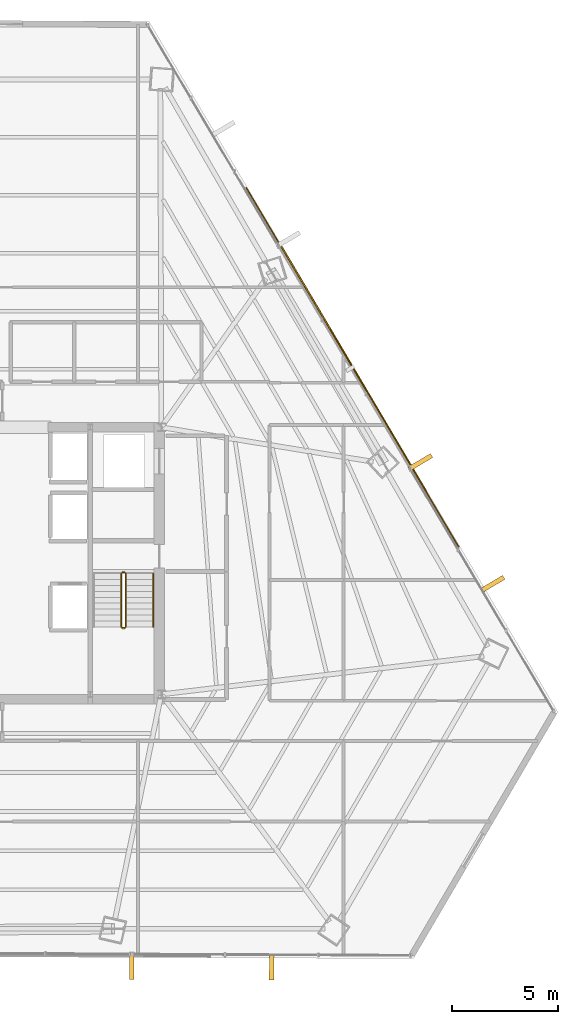
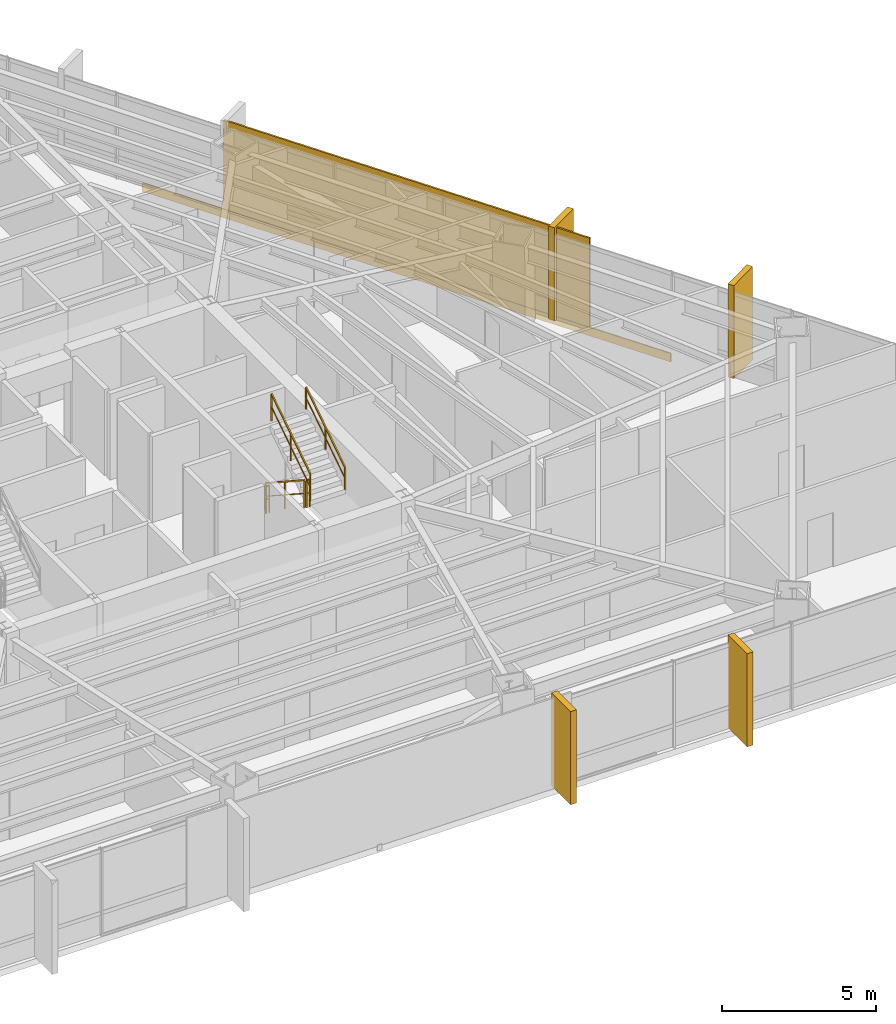
# One storey, part 36 of 37: 5 coverings, 5 railings, 1 shading device.
"""IFC4 building model written with IfcOpenShell, lengths in metres."""

from ifc_helpers import new_model, si_unit, direction, frame, origin, origin_2d, place, context, subcontext, project, spatial, rectangle, extrude, source, transform, mapped, material, layer, layer_set, type_object, type_shapes, element, save


model = new_model("IFC4")

# Units and contexts
model_context = context("Model", 3, precision=1e-05, world=origin(), true_north=direction((0.0, 1.0)))
body_context = subcontext(model_context, "Body", "Model", "MODEL_VIEW")
ifc_project = project(units=[si_unit("LENGTHUNIT", "METRE"), si_unit("AREAUNIT", "SQUARE_METRE"), si_unit("VOLUMEUNIT", "CUBIC_METRE"), si_unit("PLANEANGLEUNIT", "RADIAN"), si_unit("MASSUNIT", "GRAM", prefix="KILO")], contexts=[model_context])

# Site, building, storey
site_placement = place(None, origin())
site = spatial("IfcSite", under=ifc_project, at=site_placement, CompositionType="ELEMENT")
building_placement = place(site_placement, origin())
building = spatial("IfcBuilding", under=site, at=building_placement, Name="Caelisora Broadcast Tower", CompositionType="ELEMENT")
storey_placement = place(building_placement, frame((0.0, 0.0, 101.75)))
storey = spatial("IfcBuildingStorey", under=building, at=storey_placement, Name="L26", CompositionType="ELEMENT", Elevation=101.75)

# Railings
ifc_material_1 = material(Name="Galvanised Steel Safety Guardrail", Category="steel")
ifc_layer_1 = layer(ifc_material_1, 0.048095703125, Name="Galvanised Steel Safety Guardrail")
ifc_layer_set_1 = layer_set([ifc_layer_1], Name="Galvanised Steel Safety Guardrail")
railing_type_1 = type_object("IfcRailingType", Name="GR-1", PredefinedType="GUARDRAIL", material=ifc_layer_set_1)
railing_1_placement = place(storey_placement, frame((43.610107421875, 23.10009765625, 0.1826171875)))
element("IfcRailing", 1, at=railing_1_placement, inside=storey, type_object=railing_type_1, Name="L26 ST-2 stair guard 1", PredefinedType="GUARDRAIL", context=body_context, shape_type="SweptSolid", body=[
    extrude(rectangle(XDim=0.048095703125, YDim=0.048095703125, at=origin_2d()), frame((0.0, 0.0, 1.076171875), z_axis=(0.0, -0.837786554691, 0.545997883492), x_axis=(1.0, 0.0, 0.0)), (0.0, 0.0, 1.0), 3.008056640625),
    extrude(rectangle(XDim=0.03125, YDim=0.03125, at=origin_2d()), frame((0.0, 0.0, 0.550048828125), z_axis=(0.0, -0.837786554691, 0.545997883492), x_axis=(1.0, 0.0, 0.0)), (0.0, 0.0, 1.0), 3.008056640625),
    extrude(rectangle(XDim=0.0419921875, YDim=0.0419921875, at=origin_2d()), origin(), (0.0, 0.0, 1.0), 1.052001953125),
    extrude(rectangle(XDim=0.0419921875, YDim=0.0419921875, at=origin_2d()), frame((0.0, -1.260009765625, 0.8212890625)), (0.0, 0.0, 1.0), 1.052001953125),
    extrude(rectangle(XDim=0.0419921875, YDim=0.0419921875, at=origin_2d()), frame((0.0, -2.52001953125, 1.642333984375)), (0.0, 0.0, 1.0), 1.052001953125),
])
railing_2_placement = place(storey_placement, frame((43.659912109375, 20.530029296875, 1.824951171875)))
element("IfcRailing", 2, at=railing_2_placement, inside=storey, type_object=railing_type_1, Name="L26 ST-2 stair guard 2", PredefinedType="GUARDRAIL", context=body_context, shape_type="SweptSolid", body=[
    extrude(rectangle(XDim=0.048095703125, YDim=0.048095703125, at=origin_2d()), frame((0.0, 0.0, 1.076171875), z_axis=(1.0, 0.0, 0.0), x_axis=(0.0, 1.0, 0.0)), (0.0, 0.0, 1.0), 0.1201171875),
    extrude(rectangle(XDim=0.03125, YDim=0.03125, at=origin_2d()), frame((0.0, 0.0, 0.550048828125), z_axis=(1.0, 0.0, 0.0), x_axis=(0.0, 1.0, 0.0)), (0.0, 0.0, 1.0), 0.1201171875),
    extrude(rectangle(XDim=0.0419921875, YDim=0.0419921875, at=origin_2d()), origin(), (0.0, 0.0, 1.0), 1.052001953125),
    extrude(rectangle(XDim=0.0419921875, YDim=0.0419921875, at=origin_2d()), frame((0.1201171875, 0.0, 0.0)), (0.0, 0.0, 1.0), 1.052001953125),
])
railing_3_placement = place(storey_placement, frame((43.830078125, 20.580078125, 2.007568359375)))
element("IfcRailing", 3, at=railing_3_placement, inside=storey, type_object=railing_type_1, Name="L26 ST-2 stair guard 3", PredefinedType="GUARDRAIL", context=body_context, shape_type="SweptSolid", body=[
    extrude(rectangle(XDim=0.048095703125, YDim=0.048095703125, at=origin_2d()), frame((0.0, 0.0, 1.076171875), z_axis=(0.0, 0.837786554691, 0.545997883492), x_axis=(-1.0, 0.0, 0.0)), (0.0, 0.0, 1.0), 3.008056640625),
    extrude(rectangle(XDim=0.03125, YDim=0.03125, at=origin_2d()), frame((0.0, 0.0, 0.550048828125), z_axis=(0.0, 0.837786554691, 0.545997883492), x_axis=(-1.0, 0.0, 0.0)), (0.0, 0.0, 1.0), 3.008056640625),
    extrude(rectangle(XDim=0.0419921875, YDim=0.0419921875, at=origin_2d()), origin(), (0.0, 0.0, 1.0), 1.052001953125),
    extrude(rectangle(XDim=0.0419921875, YDim=0.0419921875, at=origin_2d()), frame((0.0, 1.260009765625, 0.8212890625)), (0.0, 0.0, 1.0), 1.052001953125),
    extrude(rectangle(XDim=0.0419921875, YDim=0.0419921875, at=origin_2d()), frame((0.0, 2.52001953125, 1.642333984375)), (0.0, 0.0, 1.0), 1.052001953125),
])
railing_4_placement = place(storey_placement, frame((43.659912109375, 23.14990234375, 0.0)))
element("IfcRailing", 4, at=railing_4_placement, inside=storey, type_object=railing_type_1, Name="L26 ST-2 stair guard 4", PredefinedType="GUARDRAIL", context=body_context, shape_type="SweptSolid", body=[
    extrude(rectangle(XDim=0.048095703125, YDim=0.048095703125, at=origin_2d()), frame((0.0, 0.0, 1.076171875), z_axis=(1.0, 0.0, 0.0), x_axis=(0.0, 1.0, 0.0)), (0.0, 0.0, 1.0), 0.1201171875),
    extrude(rectangle(XDim=0.03125, YDim=0.03125, at=origin_2d()), frame((0.0, 0.0, 0.550048828125), z_axis=(1.0, 0.0, 0.0), x_axis=(0.0, 1.0, 0.0)), (0.0, 0.0, 1.0), 0.1201171875),
    extrude(rectangle(XDim=0.0419921875, YDim=0.0419921875, at=origin_2d()), origin(), (0.0, 0.0, 1.0), 1.052001953125),
    extrude(rectangle(XDim=0.0419921875, YDim=0.0419921875, at=origin_2d()), frame((0.1201171875, 0.0, 0.0)), (0.0, 0.0, 1.0), 1.052001953125),
])
ifc_material_2 = material(Name="Stainless Steel Grade 316 Tubular Handrail", Category="steel")
ifc_layer_2 = layer(ifc_material_2, 0.048095703125, Name="Stainless Steel Grade 316 Tubular Handrail")
ifc_layer_set_2 = layer_set([ifc_layer_2], Name="Stainless Steel Grade 316 Tubular Handrail")
railing_type_2 = type_object("IfcRailingType", Name="HR-1", PredefinedType="HANDRAIL", material=ifc_layer_set_2)
railing_5_placement = place(storey_placement, frame((45.1298828125, 20.580078125, 2.007568359375)))
element("IfcRailing", 5, at=railing_5_placement, inside=storey, type_object=railing_type_2, Name="L26 ST-2 stair handrail 2", PredefinedType="HANDRAIL", context=body_context, shape_type="SweptSolid", body=[
    extrude(rectangle(XDim=0.048095703125, YDim=0.048095703125, at=origin_2d()), frame((0.0, 0.0, 0.8759765625), z_axis=(0.0, 0.837786554691, 0.545997883492), x_axis=(-1.0, 0.0, 0.0)), (0.0, 0.0, 1.0), 3.008056640625),
    extrude(rectangle(XDim=0.03125, YDim=0.03125, at=origin_2d()), frame((0.0, 0.0, 0.449951171875), z_axis=(0.0, 0.837786554691, 0.545997883492), x_axis=(-1.0, 0.0, 0.0)), (0.0, 0.0, 1.0), 3.008056640625),
    extrude(rectangle(XDim=0.0419921875, YDim=0.0419921875, at=origin_2d()), origin(), (0.0, 0.0, 1.0), 0.851806640625),
    extrude(rectangle(XDim=0.0419921875, YDim=0.0419921875, at=origin_2d()), frame((0.0, 1.260009765625, 0.8212890625)), (0.0, 0.0, 1.0), 0.851806640625),
    extrude(rectangle(XDim=0.0419921875, YDim=0.0419921875, at=origin_2d()), frame((0.0, 2.52001953125, 1.642333984375)), (0.0, 0.0, 1.0), 0.851806640625),
])

# Coverings
ifc_material_3 = material(Name="Kiln-Fired Terracotta Spandrel Rainscreen Cladding", Category="ceramic")
ifc_layer_3 = layer(ifc_material_3, 0.044921875, Name="Kiln-Fired Terracotta Spandrel Rainscreen Cladding")
ifc_layer_set_3 = layer_set([ifc_layer_3], Name="Kiln-Fired Terracotta Spandrel Rainscreen Cladding")
covering_type = type_object("IfcCoveringType", Name="CL-1", PredefinedType="CLADDING", material=ifc_layer_set_3)
shared_shape_1 = source(origin(), body_context, "Body", "SweptSolid", [
    extrude(rectangle(XDim=0.219970703125, YDim=1.25, at=origin_2d()), origin(), (0.0, 0.0, 1.0), 3.68994140625),
])
for number, where, z_axis, x_axis, name in (
    (6, (57.7158203125, 28.346435546875, -0.02001953125), (0.0, 0.0, 1.0), (0.509492029423, -0.860475375565, 0.0), "L26 vertical solar fin cladding #1-3"),
    (7, (61.117919921875, 22.599853515625, -0.02001953125), (0.0, 0.0, 1.0), (0.509492029423, -0.860475375565, 0.0), "L26 vertical solar fin cladding #1-4"),
    (8, (50.7041015625, 4.55126953125, -0.02001953125), (0.0, 0.0, 1.0), (-0.999989703949, 0.004537840481, 0.0), "L26 vertical solar fin cladding #2-1"),
    (9, (44.1025390625, 4.58154296875, -0.02001953125), (0.0, 0.0, 1.0), (-0.999989703949, 0.004537840481, 0.0), "L26 vertical solar fin cladding #2-2"),
):
    element("IfcCovering", number, at=place(storey_placement, frame(where, z_axis=z_axis, x_axis=x_axis)), inside=storey, type_object=covering_type, Name=name, PredefinedType="CLADDING", context=body_context, shape_type="MappedRepresentation", body=[
        mapped(shared_shape_1, transform((0.0, 0.0, 0.0), scale=1.0)),
    ])

# Shading device
ifc_material_4 = material(Name="Perforated Glazed Terracotta Baguette Solar Screen", Category="ceramic")
ifc_layer_4 = layer(ifc_material_4, 0.06494140625, Name="Perforated Glazed Terracotta Baguette Solar Screen")
ifc_layer_set_4 = layer_set([ifc_layer_4], Name="Perforated Glazed Terracotta Baguette Solar Screen")
shading_device_type = type_object("IfcShadingDeviceType", Name="SS-1", PredefinedType="USERDEFINED", material=ifc_layer_set_4)
shared_shape_2 = source(origin(), body_context, "Body", "SweptSolid", [
    extrude(rectangle(XDim=13.62890625, YDim=0.06494140625, at=origin_2d()), origin(), (0.0, 0.0, 1.0), 3.590087890625),
])
type_shapes(shading_device_type, [shared_shape_2])
shading_device_placement = place(storey_placement, frame((54.53466796875, 32.837158203125, 0.0), z_axis=(0.0, 0.0, 1.0), x_axis=(-0.509341840379, 0.860564285593, 0.0)))
element("IfcShadingDevice", 10, at=shading_device_placement, inside=storey, type_object=shading_device_type, Name="L26 perforated terracotta solar screen #3", ObjectType="SOLAR SCREEN", PredefinedType="USERDEFINED", context=body_context, shape_type="MappedRepresentation", body=[
    mapped(shared_shape_2, transform((0.0, 0.0, 0.0), scale=1.0)),
])

# Covering
shared_shape_3 = source(origin(), body_context, "Body", "SweptSolid", [
    extrude(rectangle(XDim=19.68701171875, YDim=0.044921875, at=origin_2d()), origin(), (0.0, 0.0, 1.0), 0.340087890625),
])
type_shapes(covering_type, [shared_shape_1, shared_shape_3])
covering_placement = place(storey_placement, frame((54.517333984375, 32.826904296875, -0.27001953125), z_axis=(0.0, 0.0, 1.0), x_axis=(-0.509341840379, 0.860564285593, 0.0)))
element("IfcCovering", 11, at=covering_placement, inside=storey, type_object=covering_type, Name="L26 terracotta spandrel rainscreen #3", PredefinedType="CLADDING", context=body_context, shape_type="MappedRepresentation", body=[
    mapped(shared_shape_3, transform((0.0, 0.0, 0.0), scale=1.0)),
])

save(model, "model.ifc")
